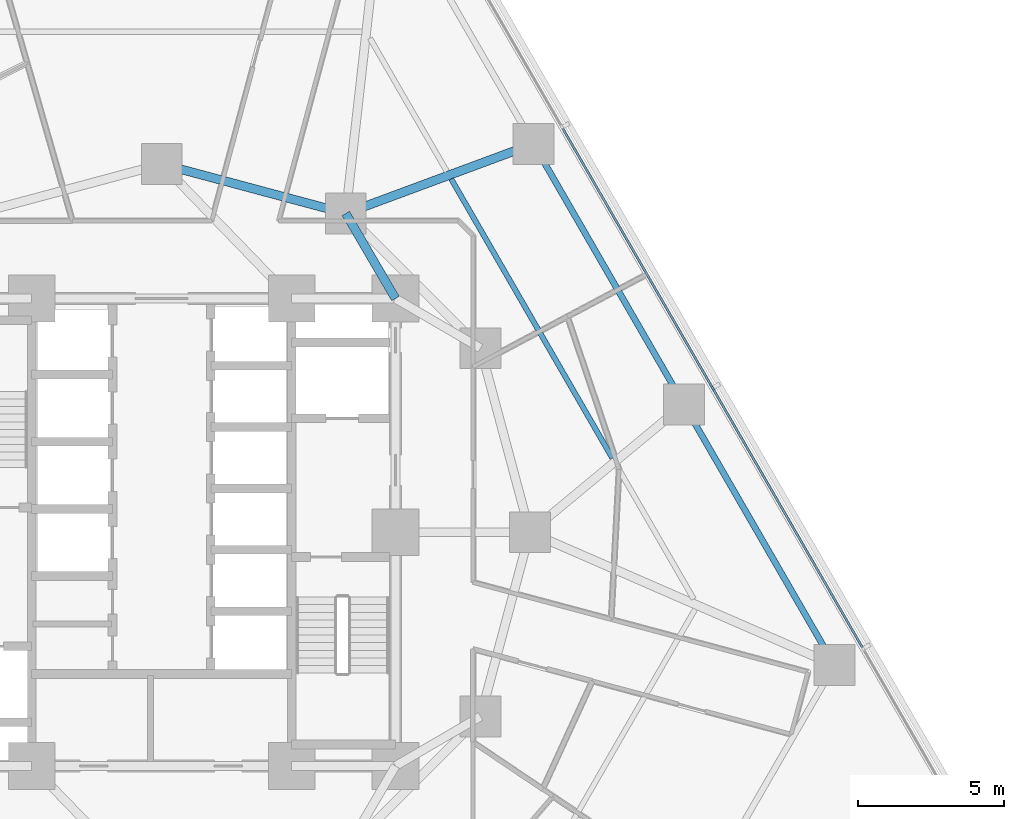
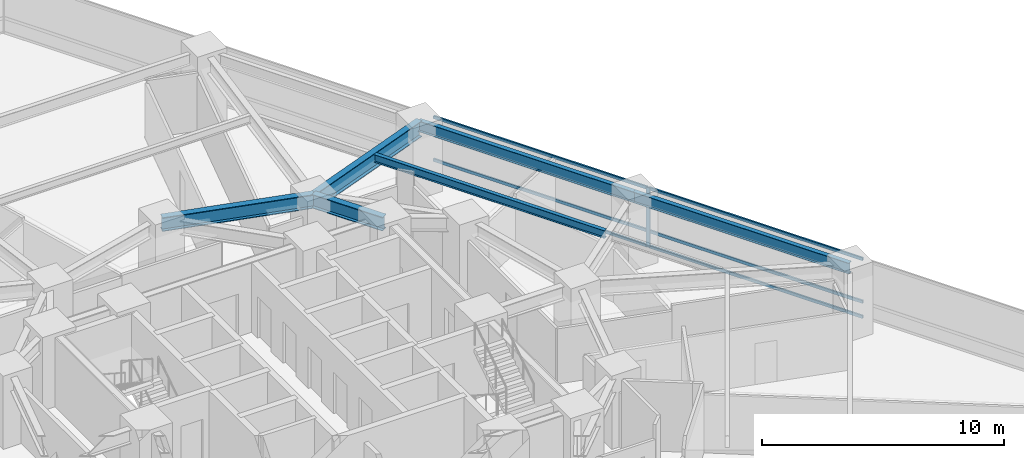
# One storey, part 5 of 16: 7 members, 6 beams, 1 element without a shape of its own.
"""IFC4 building model written with IfcOpenShell, lengths in metres."""

from ifc_helpers import new_model, si_unit, direction, frame, origin, origin_2d, place, context, subcontext, project, spatial, rectangle, i_section, extrude, material, layer, layer_set, material_profile, profile_set, type_object, element, aggregate, save


model = new_model("IFC4")

# Units and contexts
model_context = context("Model", 3, precision=1e-05, world=origin(), true_north=direction((0.0, 1.0)))
body_context = subcontext(model_context, "Body", "Model", "MODEL_VIEW")
ifc_project = project(units=[si_unit("LENGTHUNIT", "METRE"), si_unit("AREAUNIT", "SQUARE_METRE"), si_unit("VOLUMEUNIT", "CUBIC_METRE"), si_unit("PLANEANGLEUNIT", "RADIAN"), si_unit("MASSUNIT", "GRAM", prefix="KILO")], contexts=[model_context])

# Site, building, storey
site_placement = place(None, origin())
site = spatial("IfcSite", under=ifc_project, at=site_placement, CompositionType="ELEMENT")
building_placement = place(site_placement, origin())
building = spatial("IfcBuilding", under=site, at=building_placement, Name="Terralouvre Media Tower", CompositionType="ELEMENT")
storey_placement = place(building_placement, frame((0.0, 0.0, 37.10009765625)))
storey = spatial("IfcBuildingStorey", under=building, at=storey_placement, Name="L08", CompositionType="ELEMENT", Elevation=37.10009765625)

# Beam
ifc_material_1 = material(Name="Structural steel S355J2", Category="steel")
ifc_material_profile_1 = material_profile(ifc_material_1, i_section(OverallWidth=0.179931640625, OverallDepth=0.39990234375, WebThickness=0.008544921875, FlangeThickness=0.013427734375, at=origin_2d()), Name="IPE 400")
ifc_profile_set_1 = profile_set([ifc_material_profile_1], Name="Structural steel S355J2")
beam_type_1 = type_object("IfcBeamType", Name="Composite Floor Joist J-IPE400 (IPE 400)", PredefinedType="JOIST", material=ifc_profile_set_1)
beam_1_placement = place(storey_placement, frame((15.426025390625, 2.535400390625, 3.2998046875), z_axis=(-0.499996323086, 0.866027526641, 0.0), x_axis=(-0.866027526641, -0.499996323086, 0.0)))
element("IfcBeam", 1, at=beam_1_placement, inside=storey, type_object=beam_type_1, Name="L08 Framing Beam JT-L08-07", PredefinedType="JOIST", context=body_context, shape_type="SweptSolid", body=[
    extrude(i_section(OverallWidth=0.179931640625, OverallDepth=0.39990234375, WebThickness=0.008544921875, FlangeThickness=0.013427734375, at=origin_2d()), origin(), (0.0, 0.0, 1.0), 11.03466796875),
])

# Curtain wall, members
ifc_material_2 = material(Name="Low-iron laminated double glazing with solar-control coating", Category="glass")
ifc_layer = layer(ifc_material_2, 0.1650390625, Name="Lower Media Tower Unitised Curtain Wall CW-02")
ifc_layer_set = layer_set([ifc_layer], Name="Low-iron laminated double glazing with solar-control coating")
curtain_wall_type = type_object("IfcCurtainWallType", Name="Lower Media Tower Unitised Curtain Wall CW-02", PredefinedType="NOTDEFINED", material=ifc_layer_set)
curtain_wall_placement = place(storey_placement, origin())
curtain_wall = element("IfcCurtainWall", 2, at=curtain_wall_placement, inside=storey, type_object=curtain_wall_type, Name="L08 Facade Curtain Wall F1", PredefinedType="NOTDEFINED")
ifc_material_3 = material(Name="Anodised extruded aluminium 6063-T6", Category="aluminium")
ifc_material_profile_2 = material_profile(ifc_material_3, rectangle(XDim=0.074951171875, YDim=0.14990234375, at=origin_2d()), Name="ALU 75x150")
ifc_profile_set_2 = profile_set([ifc_material_profile_2], Name="Anodised extruded aluminium 6063-T6")
member_type_1 = type_object("IfcMemberType", Name="Curtain-Wall Horizontal Transom TR-150", PredefinedType="USERDEFINED", material=ifc_profile_set_2)
member_1_placement = place(storey_placement, frame((23.984619140625, -3.94921875, 0.037353515625), z_axis=(-0.499991148707, 0.866030514021, 0.0), x_axis=(-0.866030514021, -0.499991148707, 0.0)))
member_1 = element("IfcMember", 3, at=member_1_placement, type_object=member_type_1, Name="CW-02 transom 2.1", ObjectType="TRANSOM", PredefinedType="USERDEFINED", context=body_context, shape_type="SweptSolid", body=[
    extrude(rectangle(XDim=0.074951171875, YDim=0.14990234375, at=origin_2d()), origin(), (0.0, 0.0, 1.0), 10.224853515625),
])
member_2_placement = place(storey_placement, frame((23.984619140625, -3.94921875, 0.7998046875), z_axis=(-0.499991148707, 0.866030514021, 0.0), x_axis=(-0.866030514021, -0.499991148707, 0.0)))
member_2 = element("IfcMember", 4, at=member_2_placement, type_object=member_type_1, Name="CW-02 transom 2.2", ObjectType="TRANSOM", PredefinedType="USERDEFINED", context=body_context, shape_type="SweptSolid", body=[
    extrude(rectangle(XDim=0.074951171875, YDim=0.14990234375, at=origin_2d()), origin(), (0.0, 0.0, 1.0), 10.224853515625),
])
member_3_placement = place(storey_placement, frame((23.984619140625, -3.94921875, 2.96240234375), z_axis=(-0.499991148707, 0.866030514021, 0.0), x_axis=(-0.866030514021, -0.499991148707, 0.0)))
member_3 = element("IfcMember", 5, at=member_3_placement, type_object=member_type_1, Name="CW-02 transom 2.3", ObjectType="TRANSOM", PredefinedType="USERDEFINED", context=body_context, shape_type="SweptSolid", body=[
    extrude(rectangle(XDim=0.074951171875, YDim=0.14990234375, at=origin_2d()), origin(), (0.0, 0.0, 1.0), 10.224853515625),
])
member_4_placement = place(storey_placement, frame((18.834716796875, 4.970947265625, 0.037353515625), z_axis=(-0.50000905659, 0.866020174897, 0.0), x_axis=(-0.866020174897, -0.50000905659, 0.0)))
member_4 = element("IfcMember", 6, at=member_4_placement, type_object=member_type_1, Name="CW-02 transom 3.1", ObjectType="TRANSOM", PredefinedType="USERDEFINED", context=body_context, shape_type="SweptSolid", body=[
    extrude(rectangle(XDim=0.074951171875, YDim=0.14990234375, at=origin_2d()), origin(), (0.0, 0.0, 1.0), 10.224853515625),
])
member_5_placement = place(storey_placement, frame((18.834716796875, 4.970947265625, 0.7998046875), z_axis=(-0.50000905659, 0.866020174897, 0.0), x_axis=(-0.866020174897, -0.50000905659, 0.0)))
member_5 = element("IfcMember", 7, at=member_5_placement, type_object=member_type_1, Name="CW-02 transom 3.2", ObjectType="TRANSOM", PredefinedType="USERDEFINED", context=body_context, shape_type="SweptSolid", body=[
    extrude(rectangle(XDim=0.074951171875, YDim=0.14990234375, at=origin_2d()), origin(), (0.0, 0.0, 1.0), 10.224853515625),
])
member_6_placement = place(storey_placement, frame((18.834716796875, 4.970947265625, 2.96240234375), z_axis=(-0.50000905659, 0.866020174897, 0.0), x_axis=(-0.866020174897, -0.50000905659, 0.0)))
member_6 = element("IfcMember", 8, at=member_6_placement, type_object=member_type_1, Name="CW-02 transom 3.3", ObjectType="TRANSOM", PredefinedType="USERDEFINED", context=body_context, shape_type="SweptSolid", body=[
    extrude(rectangle(XDim=0.074951171875, YDim=0.14990234375, at=origin_2d()), origin(), (0.0, 0.0, 1.0), 10.224853515625),
])
ifc_material_4 = material(Name="Anodised extruded aluminium 6063-T6", Category="aluminium")
ifc_material_profile_3 = material_profile(ifc_material_4, rectangle(XDim=0.074951171875, YDim=0.179931640625, at=origin_2d()), Name="ALU 75x180")
ifc_profile_set_3 = profile_set([ifc_material_profile_3], Name="Anodised extruded aluminium 6063-T6")
member_type_2 = type_object("IfcMemberType", Name="Curtain-Wall Vertical Mullion ML-180", PredefinedType="MULLION", material=ifc_profile_set_3)
member_7_placement = place(storey_placement, frame((18.853515625, 4.938232421875, 0.0), z_axis=(0.0, 0.0, 1.0), x_axis=(-0.866025412057, -0.499999985671, 0.0)))
member_7 = element("IfcMember", 9, at=member_7_placement, type_object=member_type_2, Name="CW-02 mullion 3", PredefinedType="MULLION", context=body_context, shape_type="SweptSolid", body=[
    extrude(rectangle(XDim=0.074951171875, YDim=0.179931640625, at=origin_2d()), origin(), (0.0, 0.0, 1.0), 3.0),
])
aggregate(curtain_wall, [member_7, member_1, member_2, member_3, member_4, member_5, member_6])

# Beams
ifc_material_5 = material(Name="Structural steel S355J2", Category="steel")
ifc_material_profile_4 = material_profile(ifc_material_5, i_section(OverallWidth=0.2099609375, OverallDepth=0.550048828125, WebThickness=0.010986328125, FlangeThickness=0.01708984375, at=origin_2d()), Name="IPE 550")
ifc_profile_set_4 = profile_set([ifc_material_profile_4], Name="Structural steel S355J2")
beam_type_2 = type_object("IfcBeamType", Name="Perimeter Spandrel Beam SPB-550 (IPE 550)", PredefinedType="SPANDREL", material=ifc_profile_set_4)
for number, where, z_axis, x_axis, name in (
    (10, (23.02490234375, -4.546630859375, 3.224853515625), (-0.500016542852, 0.866015852554, 0.0), (-0.866015852554, -0.500016542852, 0.0), "L08 Framing Beam BM-L08-PR06"),
    (11, (17.874755859375, 4.373291015625, 3.224853515625), (-0.49998850195, 0.866032042085, 0.0), (-0.866032042085, -0.49998850195, 0.0), "L08 Framing Beam BM-L08-PR07"),
):
    element("IfcBeam", number, at=place(storey_placement, frame(where, z_axis=z_axis, x_axis=x_axis)), inside=storey, type_object=beam_type_2, Name=name, PredefinedType="SPANDREL", context=body_context, shape_type="SweptSolid", body=[
        extrude(i_section(OverallWidth=0.2099609375, OverallDepth=0.550048828125, WebThickness=0.010986328125, FlangeThickness=0.01708984375, at=origin_2d()), origin(), (0.0, 0.0, 1.0), 10.300048828125),
    ])
ifc_material_6 = material(Name="Structural steel S460M", Category="steel")
ifc_material_profile_5 = material_profile(ifc_material_6, i_section(OverallWidth=0.300048828125, OverallDepth=0.699951171875, WebThickness=0.01708984375, FlangeThickness=0.031982421875, at=origin_2d()), Name="HEB 700")
ifc_profile_set_5 = profile_set([ifc_material_profile_5], Name="Structural steel S460M")
beam_type_3 = type_object("IfcBeamType", Name="Primary Floor Girder B-HEB700 (HEB 700)", PredefinedType="BEAM", material=ifc_profile_set_5)
beam_2_placement = place(storey_placement, frame((6.300048828125, 10.911865234375, 3.14990234375), z_axis=(-0.965920481897, 0.258838989821, 0.0), x_axis=(-0.258838989821, -0.965920481897, 0.0)))
element("IfcBeam", 12, at=beam_2_placement, inside=storey, type_object=beam_type_3, Name="L08 Framing Beam BM-L08-MR08", PredefinedType="BEAM", context=body_context, shape_type="SweptSolid", body=[
    extrude(i_section(OverallWidth=0.300048828125, OverallDepth=0.699951171875, WebThickness=0.01708984375, FlangeThickness=0.031982421875, at=origin_2d()), origin(), (0.0, 0.0, 1.0), 6.522216796875),
])
beam_3_placement = place(storey_placement, frame((8.0, 8.0, 3.14990234375), z_axis=(-0.504172629717, 0.863602894532, 0.0), x_axis=(-0.863602894532, -0.504172629717, 0.0)))
element("IfcBeam", 13, at=beam_3_placement, inside=storey, type_object=beam_type_3, Name="L08 Framing Beam BM-L08-CM08", PredefinedType="BEAM", context=body_context, shape_type="SweptSolid", body=[
    extrude(i_section(OverallWidth=0.300048828125, OverallDepth=0.699951171875, WebThickness=0.01708984375, FlangeThickness=0.031982421875, at=origin_2d()), origin(), (0.0, 0.0, 1.0), 3.371826171875),
])
ifc_material_7 = material(Name="Structural steel S460M", Category="steel")
ifc_material_profile_6 = material_profile(ifc_material_7, i_section(OverallWidth=0.300048828125, OverallDepth=0.800048828125, WebThickness=0.017578125, FlangeThickness=0.032958984375, at=origin_2d()), Name="HEB 800")
ifc_profile_set_6 = profile_set([ifc_material_profile_6], Name="Structural steel S460M")
beam_type_4 = type_object("IfcBeamType", Name="Primary Floor Girder B-HEB800 (HEB 800)", PredefinedType="BEAM", material=ifc_profile_set_6)
beam_4_placement = place(storey_placement, frame((6.300048828125, 10.911865234375, 3.099853515625), z_axis=(0.937652019179, 0.347575446386, 0.0), x_axis=(-0.347575446386, 0.937652019179, 0.0)))
element("IfcBeam", 14, at=beam_4_placement, inside=storey, type_object=beam_type_4, Name="L08 Framing Beam BM-L08-RD08", PredefinedType="BEAM", context=body_context, shape_type="SweptSolid", body=[
    extrude(i_section(OverallWidth=0.300048828125, OverallDepth=0.800048828125, WebThickness=0.017578125, FlangeThickness=0.032958984375, at=origin_2d()), origin(), (0.0, 0.0, 1.0), 6.85205078125),
])

save(model, "model.ifc")
